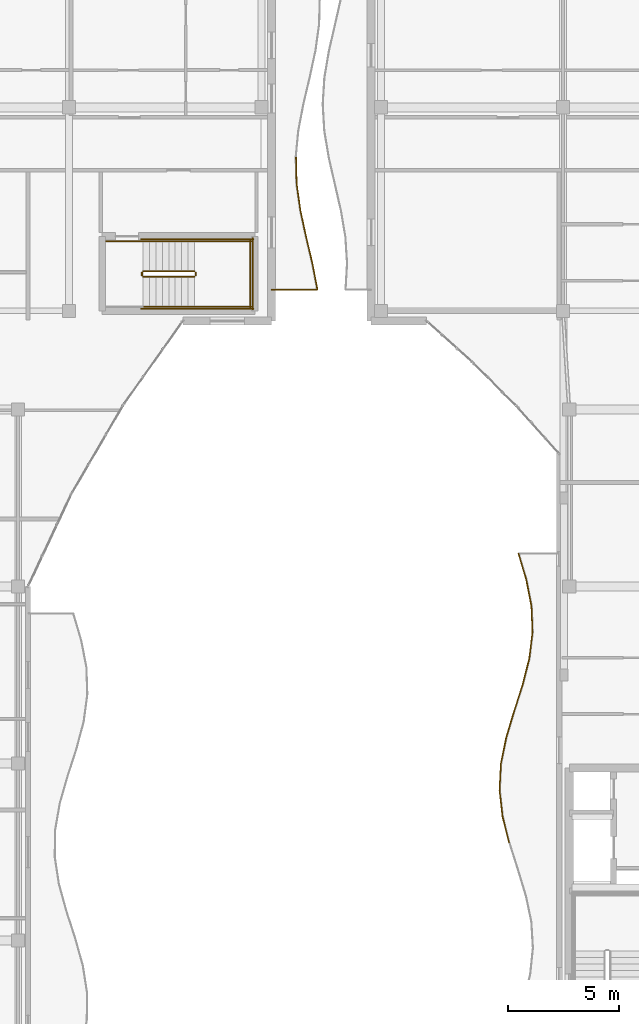
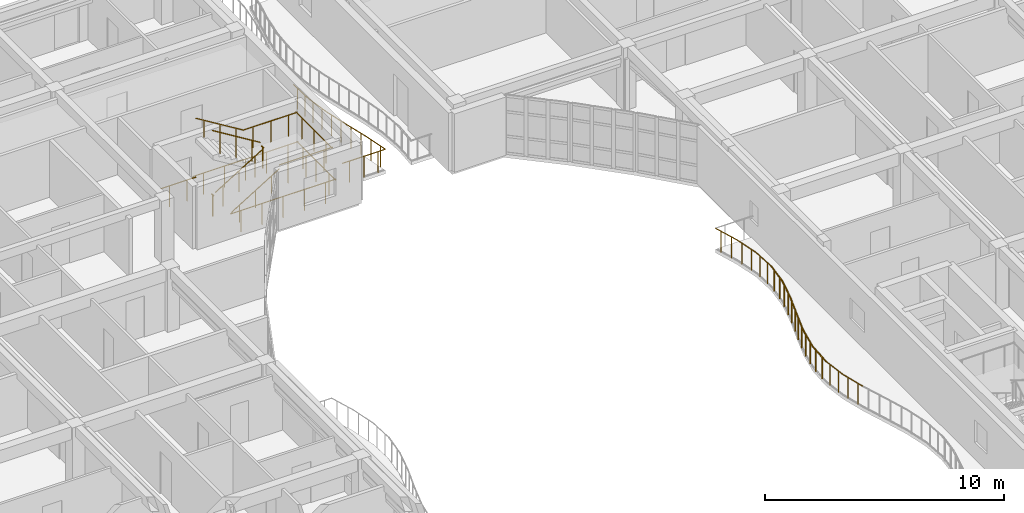
# One storey, part 64 of 79: 30 railings.
"""IFC4 building model written with IfcOpenShell, lengths in metres."""

from ifc_helpers import new_model, si_unit, direction, frame, origin, origin_2d, place, context, subcontext, project, spatial, circle, extrude, material, type_object, element, save


model = new_model("IFC4")

# Units and contexts
model_context = context("Model", 3, precision=1e-05, world=origin(), true_north=direction((0.0, 1.0)))
body_context = subcontext(model_context, "Body", "Model", "MODEL_VIEW")
ifc_project = project(units=[si_unit("LENGTHUNIT", "METRE"), si_unit("AREAUNIT", "SQUARE_METRE"), si_unit("VOLUMEUNIT", "CUBIC_METRE"), si_unit("PLANEANGLEUNIT", "RADIAN"), si_unit("MASSUNIT", "GRAM", prefix="KILO")], contexts=[model_context])

# Site, building, storey
site_placement = place(None, origin())
site = spatial("IfcSite", under=ifc_project, at=site_placement, CompositionType="ELEMENT")
building_placement = place(site_placement, origin())
building = spatial("IfcBuilding", under=site, at=building_placement, Name="Keldmere Railside Commons", CompositionType="ELEMENT")
storey_placement = place(building_placement, frame((0.0, 0.0, 10.56005859375)))
storey = spatial("IfcBuildingStorey", under=building, at=storey_placement, Name="L03", CompositionType="ELEMENT", Elevation=10.56005859375)

# Railings
ifc_material = material(Name="Steel F-24 (S235)", Category="steel")
railing_type_1 = type_object("IfcRailingType", Name="Balcony & Terrace Steel Balustrade 1100", PredefinedType="BALUSTRADE", material=ifc_material)
railing_1_placement = place(storey_placement, frame((35.0, 101.39990234375, 0.0)))
element("IfcRailing", 1, at=railing_1_placement, inside=storey, type_object=railing_type_1, Name="GR-1 GRD-L03-0353", PredefinedType="BALUSTRADE", context=body_context, shape_type="SweptSolid", body=[
    extrude(circle(Radius=0.02392578125, at=origin_2d()), frame((0.0, 0.0, 1.076171875), z_axis=(1.0, 0.0, 0.0), x_axis=(0.0, 1.0, 0.0)), (0.0, 0.0, 1.0), 2.077880859375),
    extrude(circle(Radius=0.02099609375, at=origin_2d()), frame((0.34619140625, 0.0, 0.0)), (0.0, 0.0, 1.0), 1.048095703125),
    extrude(circle(Radius=0.02099609375, at=origin_2d()), frame((1.0390625, 0.0, 0.0)), (0.0, 0.0, 1.0), 1.048095703125),
    extrude(circle(Radius=0.02099609375, at=origin_2d()), frame((1.7314453125, 0.0, 0.0)), (0.0, 0.0, 1.0), 1.048095703125),
])
railing_2_placement = place(storey_placement, frame((37.077880859375, 101.39990234375, 0.0)))
element("IfcRailing", 2, at=railing_2_placement, inside=storey, type_object=railing_type_1, Name="GR-1 GRD-L03-0354", PredefinedType="BALUSTRADE", context=body_context, shape_type="SweptSolid", body=[
    extrude(circle(Radius=0.02392578125, at=origin_2d()), frame((0.0, 0.0, 1.076171875), z_axis=(-0.188195279606, 0.982131629026, 0.0), x_axis=(-0.982131629026, -0.188195279606, 0.0)), (0.0, 0.0, 1.0), 1.221923828125),
    extrude(circle(Radius=0.02099609375, at=origin_2d()), frame((-0.0576171875, 0.300048828125, 0.0)), (0.0, 0.0, 1.0), 1.048095703125),
    extrude(circle(Radius=0.02099609375, at=origin_2d()), frame((-0.17236328125, 0.900146484375, 0.0)), (0.0, 0.0, 1.0), 1.048095703125),
])
railing_3_placement = place(storey_placement, frame((36.847900390625, 102.60009765625, 0.0)))
element("IfcRailing", 3, at=railing_3_placement, inside=storey, type_object=railing_type_1, Name="GR-1 GRD-L03-0355", PredefinedType="BALUSTRADE", context=body_context, shape_type="SweptSolid", body=[
    extrude(circle(Radius=0.02392578125, at=origin_2d()), frame((0.0, 0.0, 1.076171875), z_axis=(-0.229701506661, 0.973261125206, 0.0), x_axis=(-0.973261125206, -0.229701506661, 0.0)), (0.0, 0.0, 1.0), 1.23291015625),
    extrude(circle(Radius=0.02099609375, at=origin_2d()), frame((-0.07080078125, 0.300048828125, 0.0)), (0.0, 0.0, 1.0), 1.048095703125),
    extrude(circle(Radius=0.02099609375, at=origin_2d()), frame((-0.21240234375, 0.89990234375, 0.0)), (0.0, 0.0, 1.0), 1.048095703125),
])
railing_4_placement = place(storey_placement, frame((36.564697265625, 103.800048828125, 0.0)))
element("IfcRailing", 4, at=railing_4_placement, inside=storey, type_object=railing_type_1, Name="GR-1 GRD-L03-0356", PredefinedType="BALUSTRADE", context=body_context, shape_type="SweptSolid", body=[
    extrude(circle(Radius=0.02392578125, at=origin_2d()), frame((0.0, 0.0, 1.076171875), z_axis=(-0.211959089218, 0.977278539874, 0.0), x_axis=(-0.977278539874, -0.211959089218, 0.0)), (0.0, 0.0, 1.0), 1.227783203125),
    extrude(circle(Radius=0.02099609375, at=origin_2d()), frame((-0.06494140625, 0.300048828125, 0.0)), (0.0, 0.0, 1.0), 1.048095703125),
    extrude(circle(Radius=0.02099609375, at=origin_2d()), frame((-0.1953125, 0.89990234375, 0.0)), (0.0, 0.0, 1.0), 1.048095703125),
])
railing_5_placement = place(storey_placement, frame((36.304443359375, 105.0, 0.0)))
element("IfcRailing", 5, at=railing_5_placement, inside=storey, type_object=railing_type_1, Name="GR-1 GRD-L03-0357", PredefinedType="BALUSTRADE", context=body_context, shape_type="SweptSolid", body=[
    extrude(circle(Radius=0.02392578125, at=origin_2d()), frame((0.0, 0.0, 1.076171875), z_axis=(-0.138430452097, 0.990372157288, 0.0), x_axis=(-0.990372157288, -0.138430452097, 0.0)), (0.0, 0.0, 1.0), 1.211669921875),
    extrude(circle(Radius=0.02099609375, at=origin_2d()), frame((-0.0419921875, 0.300048828125, 0.0)), (0.0, 0.0, 1.0), 1.048095703125),
    extrude(circle(Radius=0.02099609375, at=origin_2d()), frame((-0.125732421875, 0.89990234375, 0.0)), (0.0, 0.0, 1.0), 1.048095703125),
])
railing_6_placement = place(storey_placement, frame((36.13671875, 106.199951171875, 0.0)))
element("IfcRailing", 6, at=railing_6_placement, inside=storey, type_object=railing_type_1, Name="GR-1 GRD-L03-0358", PredefinedType="BALUSTRADE", context=body_context, shape_type="SweptSolid", body=[
    extrude(circle(Radius=0.02392578125, at=origin_2d()), frame((0.0, 0.0, 1.076171875), z_axis=(-0.025017599662, 0.999687010872, 0.0), x_axis=(-0.999687010872, -0.025017599662, 0.0)), (0.0, 0.0, 1.0), 1.200439453125),
    extrude(circle(Radius=0.02099609375, at=origin_2d()), frame((-0.007568359375, 0.300048828125, 0.0)), (0.0, 0.0, 1.0), 1.048095703125),
    extrude(circle(Radius=0.02099609375, at=origin_2d()), frame((-0.0224609375, 0.89990234375, 0.0)), (0.0, 0.0, 1.0), 1.048095703125),
])
railing_7_placement = place(storey_placement, frame((45.73486328125, 76.422119140625, 0.0)))
element("IfcRailing", 7, at=railing_7_placement, inside=storey, type_object=railing_type_1, Name="GR-1 GRD-L03-1126", PredefinedType="BALUSTRADE", context=body_context, shape_type="SweptSolid", body=[
    extrude(circle(Radius=0.02392578125, at=origin_2d()), frame((0.0, 0.0, 1.076171875), z_axis=(-0.241504020577, 0.970399818655, 0.0), x_axis=(-0.970399818655, -0.241504020577, 0.0)), (0.0, 0.0, 1.0), 1.225341796875),
    extrude(circle(Radius=0.02099609375, at=origin_2d()), frame((-0.073974609375, 0.29736328125, 0.0)), (0.0, 0.0, 1.0), 1.048095703125),
    extrude(circle(Radius=0.02099609375, at=origin_2d()), frame((-0.221923828125, 0.8916015625, 0.0)), (0.0, 0.0, 1.0), 1.048095703125),
])
railing_8_placement = place(storey_placement, frame((45.43896484375, 77.611083984375, 0.0)))
element("IfcRailing", 8, at=railing_8_placement, inside=storey, type_object=railing_type_1, Name="GR-1 GRD-L03-1127", PredefinedType="BALUSTRADE", context=body_context, shape_type="SweptSolid", body=[
    extrude(circle(Radius=0.02392578125, at=origin_2d()), frame((0.0, 0.0, 1.076171875), z_axis=(-0.113028709286, 0.993591722428, 0.0), x_axis=(-0.993591722428, -0.113028709286, 0.0)), (0.0, 0.0, 1.0), 1.196533203125),
    extrude(circle(Radius=0.02099609375, at=origin_2d()), frame((-0.03369140625, 0.29736328125, 0.0)), (0.0, 0.0, 1.0), 1.048095703125),
    extrude(circle(Radius=0.02099609375, at=origin_2d()), frame((-0.1015625, 0.8916015625, 0.0)), (0.0, 0.0, 1.0), 1.048095703125),
])
railing_9_placement = place(storey_placement, frame((45.3037109375, 78.800048828125, 0.0)))
element("IfcRailing", 9, at=railing_9_placement, inside=storey, type_object=railing_type_1, Name="GR-1 GRD-L03-1128", PredefinedType="BALUSTRADE", context=body_context, shape_type="SweptSolid", body=[
    extrude(circle(Radius=0.02392578125, at=origin_2d()), frame((0.0, 0.0, 1.076171875), z_axis=(0.051471722288, 0.998674452364, 0.0), x_axis=(-0.998674452364, 0.051471722288, 0.0)), (0.0, 0.0, 1.0), 1.1904296875),
    extrude(circle(Radius=0.02099609375, at=origin_2d()), frame((0.015380859375, 0.29736328125, 0.0)), (0.0, 0.0, 1.0), 1.048095703125),
    extrude(circle(Radius=0.02099609375, at=origin_2d()), frame((0.0458984375, 0.8916015625, 0.0)), (0.0, 0.0, 1.0), 1.048095703125),
])
railing_10_placement = place(storey_placement, frame((45.364990234375, 79.989013671875, 0.0)))
element("IfcRailing", 10, at=railing_10_placement, inside=storey, type_object=railing_type_1, Name="GR-1 GRD-L03-1129", PredefinedType="BALUSTRADE", context=body_context, shape_type="SweptSolid", body=[
    extrude(circle(Radius=0.02392578125, at=origin_2d()), frame((0.0, 0.0, 1.076171875), z_axis=(0.199056904046, 0.979987933064, 0.0), x_axis=(-0.979987933064, 0.199056904046, 0.0)), (0.0, 0.0, 1.0), 1.212890625),
    extrude(circle(Radius=0.02099609375, at=origin_2d()), frame((0.060302734375, 0.297119140625, 0.0)), (0.0, 0.0, 1.0), 1.048095703125),
    extrude(circle(Radius=0.02099609375, at=origin_2d()), frame((0.18115234375, 0.8916015625, 0.0)), (0.0, 0.0, 1.0), 1.048095703125),
])
railing_11_placement = place(storey_placement, frame((45.6064453125, 81.177734375, 0.0)))
element("IfcRailing", 11, at=railing_11_placement, inside=storey, type_object=railing_type_1, Name="GR-1 GRD-L03-1130", PredefinedType="BALUSTRADE", context=body_context, shape_type="SweptSolid", body=[
    extrude(circle(Radius=0.02392578125, at=origin_2d()), frame((0.0, 0.0, 1.076171875), z_axis=(0.28842997065, 0.957500993227, 0.0), x_axis=(-0.957500993227, 0.28842997065, 0.0)), (0.0, 0.0, 1.0), 1.24169921875),
    extrude(circle(Radius=0.02099609375, at=origin_2d()), frame((0.089599609375, 0.29736328125, 0.0)), (0.0, 0.0, 1.0), 1.048095703125),
    extrude(circle(Radius=0.02099609375, at=origin_2d()), frame((0.2685546875, 0.8916015625, 0.0)), (0.0, 0.0, 1.0), 1.048095703125),
])
railing_12_placement = place(storey_placement, frame((45.964599609375, 82.36669921875, 0.0)))
element("IfcRailing", 12, at=railing_12_placement, inside=storey, type_object=railing_type_1, Name="GR-1 GRD-L03-1131", PredefinedType="BALUSTRADE", context=body_context, shape_type="SweptSolid", body=[
    extrude(circle(Radius=0.02392578125, at=origin_2d()), frame((0.0, 0.0, 1.076171875), z_axis=(0.304882163505, 0.952390080994, 0.0), x_axis=(-0.952390080994, 0.304882163505, 0.0)), (0.0, 0.0, 1.0), 1.248291015625),
    extrude(circle(Radius=0.02099609375, at=origin_2d()), frame((0.09521484375, 0.29736328125, 0.0)), (0.0, 0.0, 1.0), 1.048095703125),
    extrude(circle(Radius=0.02099609375, at=origin_2d()), frame((0.285400390625, 0.8916015625, 0.0)), (0.0, 0.0, 1.0), 1.048095703125),
])
railing_13_placement = place(storey_placement, frame((46.34521484375, 83.5556640625, 0.0)))
element("IfcRailing", 13, at=railing_13_placement, inside=storey, type_object=railing_type_1, Name="GR-1 GRD-L03-1132", PredefinedType="BALUSTRADE", context=body_context, shape_type="SweptSolid", body=[
    extrude(circle(Radius=0.02392578125, at=origin_2d()), frame((0.0, 0.0, 1.076171875), z_axis=(0.246981719604, 0.969020139203, 0.0), x_axis=(-0.969020139203, 0.246981719604, 0.0)), (0.0, 0.0, 1.0), 1.226806640625),
    extrude(circle(Radius=0.02099609375, at=origin_2d()), frame((0.07568359375, 0.297119140625, 0.0)), (0.0, 0.0, 1.0), 1.048095703125),
    extrude(circle(Radius=0.02099609375, at=origin_2d()), frame((0.227294921875, 0.8916015625, 0.0)), (0.0, 0.0, 1.0), 1.048095703125),
])
railing_14_placement = place(storey_placement, frame((46.648193359375, 84.744384765625, 0.0)))
element("IfcRailing", 14, at=railing_14_placement, inside=storey, type_object=railing_type_1, Name="GR-1 GRD-L03-1133", PredefinedType="BALUSTRADE", context=body_context, shape_type="SweptSolid", body=[
    extrude(circle(Radius=0.02392578125, at=origin_2d()), frame((0.0, 0.0, 1.076171875), z_axis=(0.121475620457, 0.992594415476, 0.0), x_axis=(-0.992594415476, 0.121475620457, 0.0)), (0.0, 0.0, 1.0), 1.19775390625),
    extrude(circle(Radius=0.02099609375, at=origin_2d()), frame((0.036376953125, 0.29736328125, 0.0)), (0.0, 0.0, 1.0), 1.048095703125),
    extrude(circle(Radius=0.02099609375, at=origin_2d()), frame((0.109130859375, 0.8916015625, 0.0)), (0.0, 0.0, 1.0), 1.048095703125),
])
railing_15_placement = place(storey_placement, frame((46.793701171875, 85.933349609375, 0.0)))
element("IfcRailing", 15, at=railing_15_placement, inside=storey, type_object=railing_type_1, Name="GR-1 GRD-L03-1134", PredefinedType="BALUSTRADE", context=body_context, shape_type="SweptSolid", body=[
    extrude(circle(Radius=0.02392578125, at=origin_2d()), frame((0.0, 0.0, 1.076171875), z_axis=(-0.042057210849, 0.999115204076, 0.0), x_axis=(-0.999115204076, -0.042057210849, 0.0)), (0.0, 0.0, 1.0), 1.18994140625),
    extrude(circle(Radius=0.02099609375, at=origin_2d()), frame((-0.012451171875, 0.29736328125, 0.0)), (0.0, 0.0, 1.0), 1.048095703125),
    extrude(circle(Radius=0.02099609375, at=origin_2d()), frame((-0.03759765625, 0.8916015625, 0.0)), (0.0, 0.0, 1.0), 1.048095703125),
])
railing_16_placement = place(storey_placement, frame((46.74365234375, 87.122314453125, 0.0)))
element("IfcRailing", 16, at=railing_16_placement, inside=storey, type_object=railing_type_1, Name="GR-1 GRD-L03-1135", PredefinedType="BALUSTRADE", context=body_context, shape_type="SweptSolid", body=[
    extrude(circle(Radius=0.02392578125, at=origin_2d()), frame((0.0, 0.0, 1.076171875), z_axis=(-0.192083347878, 0.981378615758, 0.0), x_axis=(-0.981378615758, -0.192083347878, 0.0)), (0.0, 0.0, 1.0), 1.211181640625),
    extrude(circle(Radius=0.02099609375, at=origin_2d()), frame((-0.05810546875, 0.297119140625, 0.0)), (0.0, 0.0, 1.0), 1.048095703125),
    extrude(circle(Radius=0.02099609375, at=origin_2d()), frame((-0.174560546875, 0.8916015625, 0.0)), (0.0, 0.0, 1.0), 1.048095703125),
])
railing_17_placement = place(storey_placement, frame((46.510986328125, 88.31103515625, 0.0)))
element("IfcRailing", 17, at=railing_17_placement, inside=storey, type_object=railing_type_1, Name="GR-1 GRD-L03-1136", PredefinedType="BALUSTRADE", context=body_context, shape_type="SweptSolid", body=[
    extrude(circle(Radius=0.02392578125, at=origin_2d()), frame((0.0, 0.0, 1.076171875), z_axis=(-0.285361204419, 0.958420045185, 0.0), x_axis=(-0.958420045185, -0.285361204419, 0.0)), (0.0, 0.0, 1.0), 1.240478515625),
    extrude(circle(Radius=0.02099609375, at=origin_2d()), frame((-0.08837890625, 0.29736328125, 0.0)), (0.0, 0.0, 1.0), 1.048095703125),
    extrude(circle(Radius=0.02099609375, at=origin_2d()), frame((-0.265625, 0.8916015625, 0.0)), (0.0, 0.0, 1.0), 1.048095703125),
])
railing_type_2 = type_object("IfcRailingType", Name="Stair Well Steel Guardrail 1100", PredefinedType="BALUSTRADE", material=ifc_material)
railing_18_placement = place(storey_placement, frame((29.199951171875, 102.0, 0.177734375)))
element("IfcRailing", 18, at=railing_18_placement, inside=storey, type_object=railing_type_2, Name="L03 ST-D2 stair guard 1", PredefinedType="BALUSTRADE", context=body_context, shape_type="SweptSolid", body=[
    extrude(circle(Radius=0.02392578125, at=origin_2d()), frame((0.0, 0.0, 1.076171875), z_axis=(0.852578041948, 0.0, 0.522599925744), x_axis=(0.0, 1.0, 0.0)), (0.0, 0.0, 1.0), 2.72119140625),
    extrude(circle(Radius=0.02099609375, at=origin_2d()), frame((0.38671875, 0.0, 0.237060546875)), (0.0, 0.0, 1.0), 1.048095703125),
    extrude(circle(Radius=0.02099609375, at=origin_2d()), frame((1.16015625, 0.0, 0.7109375)), (0.0, 0.0, 1.0), 1.048095703125),
    extrude(circle(Radius=0.02099609375, at=origin_2d()), frame((1.933349609375, 0.0, 1.18505859375)), (0.0, 0.0, 1.0), 1.048095703125),
])
railing_19_placement = place(storey_placement, frame((31.570068359375, 102.050048828125, 1.599853515625)))
element("IfcRailing", 19, at=railing_19_placement, inside=storey, type_object=railing_type_2, Name="L03 ST-D2 stair guard 2", PredefinedType="BALUSTRADE", context=body_context, shape_type="SweptSolid", body=[
    extrude(circle(Radius=0.02392578125, at=origin_2d()), frame((0.0, 0.0, 1.076171875), z_axis=(0.0, 1.0, 0.0), x_axis=(-1.0, 0.0, 0.0)), (0.0, 0.0, 1.0), 0.14990234375),
    extrude(circle(Radius=0.02099609375, at=origin_2d()), frame((0.0, 0.074951171875, 0.0)), (0.0, 0.0, 1.0), 1.048095703125),
])
for number, where, name in (
    (20, (31.52001953125, 100.64990234375, 1.599853515625), "L03 ST-D2 stair guard 3"),
    (21, (31.52001953125, 103.60009765625, 1.599853515625), "L03 ST-D2 stair guard 4"),
):
    element("IfcRailing", number, at=place(storey_placement, frame(where)), inside=storey, type_object=railing_type_2, Name=name, PredefinedType="BALUSTRADE", context=body_context, shape_type="SweptSolid", body=[
        extrude(circle(Radius=0.02392578125, at=origin_2d()), frame((0.0, 0.0, 1.076171875), z_axis=(1.0, 0.0, 0.0), x_axis=(0.0, 1.0, 0.0)), (0.0, 0.0, 1.0), 2.580078125),
        extrude(circle(Radius=0.02099609375, at=origin_2d()), frame((0.429931640625, 0.0, 0.0)), (0.0, 0.0, 1.0), 1.048095703125),
        extrude(circle(Radius=0.02099609375, at=origin_2d()), frame((1.2900390625, 0.0, 0.0)), (0.0, 0.0, 1.0), 1.048095703125),
        extrude(circle(Radius=0.02099609375, at=origin_2d()), frame((2.150146484375, 0.0, 0.0)), (0.0, 0.0, 1.0), 1.048095703125),
    ])
railing_20_placement = place(storey_placement, frame((34.050048828125, 100.60009765625, 1.599853515625)))
element("IfcRailing", 22, at=railing_20_placement, inside=storey, type_object=railing_type_2, Name="L03 ST-D2 stair guard 5", PredefinedType="BALUSTRADE", context=body_context, shape_type="SweptSolid", body=[
    extrude(circle(Radius=0.02392578125, at=origin_2d()), frame((0.0, 0.0, 1.076171875), z_axis=(0.0, 1.0, 0.0), x_axis=(-1.0, 0.0, 0.0)), (0.0, 0.0, 1.0), 3.0498046875),
    extrude(circle(Radius=0.02099609375, at=origin_2d()), frame((0.0, 0.50830078125, 0.0)), (0.0, 0.0, 1.0), 1.048095703125),
    extrude(circle(Radius=0.02099609375, at=origin_2d()), frame((0.0, 1.52490234375, 0.0)), (0.0, 0.0, 1.0), 1.048095703125),
    extrude(circle(Radius=0.02099609375, at=origin_2d()), frame((0.0, 2.54150390625, 0.0)), (0.0, 0.0, 1.0), 1.048095703125),
])
railing_21_placement = place(storey_placement, frame((31.52001953125, 102.25, 1.77783203125)))
element("IfcRailing", 23, at=railing_21_placement, inside=storey, type_object=railing_type_2, Name="L03 ST-D2 stair guard 6", PredefinedType="BALUSTRADE", context=body_context, shape_type="SweptSolid", body=[
    extrude(circle(Radius=0.02392578125, at=origin_2d()), frame((0.0, 0.0, 1.076171875), z_axis=(-0.852578041948, 0.0, 0.522599925744), x_axis=(0.0, -1.0, 0.0)), (0.0, 0.0, 1.0), 2.72119140625),
    extrude(circle(Radius=0.02099609375, at=origin_2d()), frame((-0.38671875, 0.0, 0.237060546875)), (0.0, 0.0, 1.0), 1.048095703125),
    extrude(circle(Radius=0.02099609375, at=origin_2d()), frame((-1.16015625, 0.0, 0.7109375)), (0.0, 0.0, 1.0), 1.048095703125),
    extrude(circle(Radius=0.02099609375, at=origin_2d()), frame((-1.933349609375, 0.0, 1.18505859375)), (0.0, 0.0, 1.0), 1.048095703125),
])
railing_22_placement = place(storey_placement, frame((29.14990234375, 102.050048828125, 0.0)))
element("IfcRailing", 24, at=railing_22_placement, inside=storey, type_object=railing_type_2, Name="L03 ST-D2 stair guard 7", PredefinedType="BALUSTRADE", context=body_context, shape_type="SweptSolid", body=[
    extrude(circle(Radius=0.02392578125, at=origin_2d()), frame((0.0, 0.0, 1.076171875), z_axis=(0.0, 1.0, 0.0), x_axis=(-1.0, 0.0, 0.0)), (0.0, 0.0, 1.0), 0.14990234375),
    extrude(circle(Radius=0.02099609375, at=origin_2d()), frame((0.0, 0.074951171875, 0.0)), (0.0, 0.0, 1.0), 1.048095703125),
])
railing_23_placement = place(storey_placement, frame((27.5, 103.60009765625, 0.0)))
element("IfcRailing", 25, at=railing_23_placement, inside=storey, type_object=railing_type_2, Name="L03 ST-D2 stair guard 9", PredefinedType="BALUSTRADE", context=body_context, shape_type="SweptSolid", body=[
    extrude(circle(Radius=0.02392578125, at=origin_2d()), frame((0.0, 0.0, 1.076171875), z_axis=(1.0, 0.0, 0.0), x_axis=(0.0, 1.0, 0.0)), (0.0, 0.0, 1.0), 1.699951171875),
    extrude(circle(Radius=0.02099609375, at=origin_2d()), frame((0.425048828125, 0.0, 0.0)), (0.0, 0.0, 1.0), 1.048095703125),
    extrude(circle(Radius=0.02099609375, at=origin_2d()), frame((1.27490234375, 0.0, 0.0)), (0.0, 0.0, 1.0), 1.048095703125),
])
for number, where, name in (
    (26, (29.10009765625, 100.550048828125, 0.0), "L03 ST-D2 stair guard 10"),
    (27, (29.10009765625, 103.699951171875, 0.0), "L03 ST-D2 stair guard 11"),
):
    element("IfcRailing", number, at=place(storey_placement, frame(where)), inside=storey, type_object=railing_type_2, Name=name, PredefinedType="BALUSTRADE", context=body_context, shape_type="SweptSolid", body=[
        extrude(circle(Radius=0.02392578125, at=origin_2d()), frame((0.0, 0.0, 1.076171875), z_axis=(1.0, 0.0, 0.0), x_axis=(0.0, 1.0, 0.0)), (0.0, 0.0, 1.0), 5.099853515625),
        extrude(circle(Radius=0.02099609375, at=origin_2d()), frame((0.510009765625, 0.0, 0.0)), (0.0, 0.0, 1.0), 1.048095703125),
        extrude(circle(Radius=0.02099609375, at=origin_2d()), frame((1.530029296875, 0.0, 0.0)), (0.0, 0.0, 1.0), 1.048095703125),
        extrude(circle(Radius=0.02099609375, at=origin_2d()), frame((2.5498046875, 0.0, 0.0)), (0.0, 0.0, 1.0), 1.048095703125),
        extrude(circle(Radius=0.02099609375, at=origin_2d()), frame((3.56982421875, 0.0, 0.0)), (0.0, 0.0, 1.0), 1.048095703125),
        extrude(circle(Radius=0.02099609375, at=origin_2d()), frame((4.58984375, 0.0, 0.0)), (0.0, 0.0, 1.0), 1.048095703125),
    ])
railing_24_placement = place(storey_placement, frame((34.14990234375, 100.5, 0.0)))
element("IfcRailing", 28, at=railing_24_placement, inside=storey, type_object=railing_type_2, Name="L03 ST-D2 stair guard 12", PredefinedType="BALUSTRADE", context=body_context, shape_type="SweptSolid", body=[
    extrude(circle(Radius=0.02392578125, at=origin_2d()), frame((0.0, 0.0, 1.076171875), z_axis=(0.0, 1.0, 0.0), x_axis=(-1.0, 0.0, 0.0)), (0.0, 0.0, 1.0), 3.25),
    extrude(circle(Radius=0.02099609375, at=origin_2d()), frame((0.0, 0.541748046875, 0.0)), (0.0, 0.0, 1.0), 1.048095703125),
    extrude(circle(Radius=0.02099609375, at=origin_2d()), frame((0.0, 1.625, 0.0)), (0.0, 0.0, 1.0), 1.048095703125),
    extrude(circle(Radius=0.02099609375, at=origin_2d()), frame((0.0, 2.708251953125, 0.0)), (0.0, 0.0, 1.0), 1.048095703125),
])
railing_type_3 = type_object("IfcRailingType", Name="Wall-Mounted Tubular Steel Handrail 900", PredefinedType="HANDRAIL", material=ifc_material)
railing_25_placement = place(storey_placement, frame((29.199951171875, 100.64990234375, 0.177734375)))
element("IfcRailing", 29, at=railing_25_placement, inside=storey, type_object=railing_type_3, Name="L03 ST-D2 stair handrail 1", PredefinedType="HANDRAIL", context=body_context, shape_type="SweptSolid", body=[
    extrude(circle(Radius=0.02392578125, at=origin_2d()), frame((0.0, 0.0, 0.8759765625), z_axis=(0.852578041948, 0.0, 0.522599925744), x_axis=(0.0, 1.0, 0.0)), (0.0, 0.0, 1.0), 2.72119140625),
    extrude(circle(Radius=0.02099609375, at=origin_2d()), frame((0.38671875, 0.0, 0.237060546875)), (0.0, 0.0, 1.0), 0.847900390625),
    extrude(circle(Radius=0.02099609375, at=origin_2d()), frame((1.16015625, 0.0, 0.7109375)), (0.0, 0.0, 1.0), 0.847900390625),
    extrude(circle(Radius=0.02099609375, at=origin_2d()), frame((1.933349609375, 0.0, 1.18505859375)), (0.0, 0.0, 1.0), 0.847900390625),
])
railing_26_placement = place(storey_placement, frame((31.52001953125, 103.60009765625, 1.77783203125)))
element("IfcRailing", 30, at=railing_26_placement, inside=storey, type_object=railing_type_3, Name="L03 ST-D2 stair handrail 2", PredefinedType="HANDRAIL", context=body_context, shape_type="SweptSolid", body=[
    extrude(circle(Radius=0.02392578125, at=origin_2d()), frame((0.0, 0.0, 0.8759765625), z_axis=(-0.852578041948, 0.0, 0.522599925744), x_axis=(0.0, -1.0, 0.0)), (0.0, 0.0, 1.0), 2.72119140625),
    extrude(circle(Radius=0.02099609375, at=origin_2d()), frame((-0.38671875, 0.0, 0.237060546875)), (0.0, 0.0, 1.0), 0.847900390625),
    extrude(circle(Radius=0.02099609375, at=origin_2d()), frame((-1.16015625, 0.0, 0.7109375)), (0.0, 0.0, 1.0), 0.847900390625),
    extrude(circle(Radius=0.02099609375, at=origin_2d()), frame((-1.933349609375, 0.0, 1.18505859375)), (0.0, 0.0, 1.0), 0.847900390625),
])

save(model, "model.ifc")
